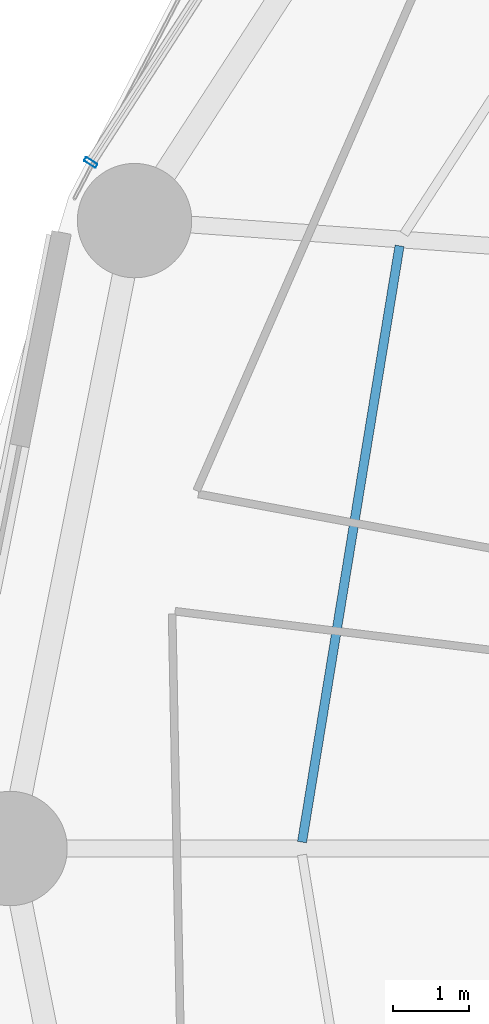
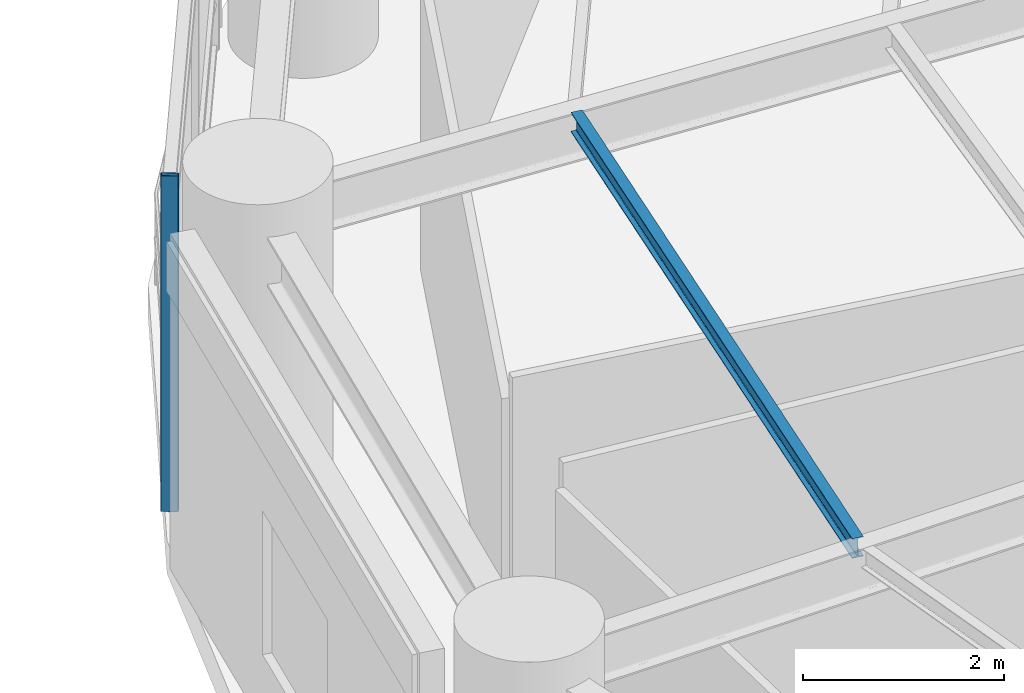
# One storey, part 15 of 52: 1 beam, 1 member, 1 element without a shape of its own.
"""IFC4 building model written with IfcOpenShell, lengths in metres."""

import ifcopenshell
import ifcopenshell.guid

model = None  # the IFC model being written
_history = None  # IfcOwnerHistory: only IFC2X3 demands one
_inside = {}  # id of a spatial element -> (the spatial element, [elements in it])
_under = {}  # id of a project, library or spatial element -> (it, [spatial elements below it])
_declared = {}  # id of a project -> (the project, [libraries it declares])
_typed = {}  # id of a type object -> (the type object, [elements of that type])
_made_of = {}  # id of a material, layer set ... -> (it, [elements and type objects made of it])


def new_model(schema):
    """Start an empty IFC model of exactly this schema.

    Asked for "IFC4X3", IfcOpenShell would pick the latest addendum, in which some entities
    have other attributes; the version numbers below select the first issue.
    IFC2X3 requires an IfcOwnerHistory on every rooted entity: one is made here for all.
    """
    global model, _history
    if schema == "IFC4X3":
        model = ifcopenshell.file(schema_version=(4, 3, 0, 0))
    else:
        model = ifcopenshell.file(schema=schema)
    _inside.clear()
    _under.clear()
    _declared.clear()
    _typed.clear()
    _made_of.clear()
    _history = None
    if model.schema == "IFC2X3":
        org = make("IfcOrganization", Name="unknown")
        user = make(
            "IfcPersonAndOrganization",
            ThePerson=make("IfcPerson", FamilyName="unknown"),
            TheOrganization=org,
        )
        app = make(
            "IfcApplication",
            ApplicationDeveloper=org,
            Version="unknown",
            ApplicationFullName="unknown",
            ApplicationIdentifier="unknown",
        )
        _history = make(
            "IfcOwnerHistory",
            OwningUser=user,
            OwningApplication=app,
            ChangeAction="ADDED",
            CreationDate=0,
        )
    return model


def make(cls, **values):
    """One entity of the class cls with the attributes given. An attribute that is None is left unset."""
    return model.create_entity(
        cls, **{name: value for name, value in values.items() if value is not None}
    )


def rooted(cls, **values):
    """An entity with a GlobalId (a new one), such as an element, a storey or a relation."""
    return make(cls, GlobalId=ifcopenshell.guid.new(), OwnerHistory=_history, **values)


def si_unit(unit_type, name, prefix=None):
    """IfcSIUnit, for example si_unit("LENGTHUNIT", "METRE", prefix="MILLI")."""
    return make("IfcSIUnit", UnitType=unit_type, Prefix=prefix, Name=name)


def assignment(units):
    """IfcUnitAssignment: the units of a project."""
    return None if units is None else make("IfcUnitAssignment", Units=units)


def point(xyz):
    """IfcCartesianPoint."""
    return None if xyz is None else make("IfcCartesianPoint", Coordinates=xyz)


def direction(xyz):
    """IfcDirection."""
    return None if xyz is None else make("IfcDirection", DirectionRatios=xyz)


def frame(location, z_axis=None, x_axis=None):
    """IfcAxis2Placement3D, a coordinate frame: its origin and axes. An axis left out is left unset."""
    return make(
        "IfcAxis2Placement3D",
        Location=point(location),
        Axis=direction(z_axis),
        RefDirection=direction(x_axis),
    )


def frame_2d(location, x_axis=None):
    """IfcAxis2Placement2D, a coordinate frame in the plane: its origin and x axis."""
    return make(
        "IfcAxis2Placement2D", Location=point(location), RefDirection=direction(x_axis)
    )


def origin():
    """The frame at (0, 0, 0) with its axes left unset."""
    return frame((0.0, 0.0, 0.0))


def origin_2d():
    """The frame at (0, 0) in the plane with its x axis left unset."""
    return frame_2d((0.0, 0.0))


def place(relative_to, where):
    """IfcLocalPlacement: puts the frame where relative to a parent placement (None: the world)."""
    return make(
        "IfcLocalPlacement", PlacementRelTo=relative_to, RelativePlacement=where
    )


def context(
    kind, dimensions, precision=None, world=None, true_north=None, identifier=None
):
    """IfcGeometricRepresentationContext, for example the 3D "Model" context."""
    return make(
        "IfcGeometricRepresentationContext",
        ContextIdentifier=identifier,
        ContextType=kind,
        CoordinateSpaceDimension=dimensions,
        Precision=precision,
        WorldCoordinateSystem=world,
        TrueNorth=true_north,
    )


def subcontext(parent, identifier, kind, view, scale=None):
    """IfcGeometricRepresentationSubContext, for example "Body" below "Model"."""
    return make(
        "IfcGeometricRepresentationSubContext",
        ContextIdentifier=identifier,
        ContextType=kind,
        ParentContext=parent,
        TargetScale=scale,
        TargetView=view,
    )


def project(units=None, contexts=None):
    """IfcProject with its units and contexts."""
    return rooted(
        "IfcProject",
        Name="project",
        RepresentationContexts=contexts,
        UnitsInContext=assignment(units),
    )


def spatial(cls, under=None, at=None, **own):
    """A site, building, storey or space (cls), placed at a placement, below another one or the project."""
    s = rooted(cls, ObjectPlacement=at, **own)
    if under is not None:
        _under.setdefault(under.id(), (under, []))[1].append(s)
    return s


def profile(cls, at=None, kind="AREA", **sizes):
    """A parametric profile (cls). Its sizes go by their IFC names, for example OverallWidth=200.0."""
    return make(cls, ProfileType=kind, Position=at, **sizes)


def hollow_rectangle(**sizes):
    """IfcRectangleHollowProfileDef."""
    return profile("IfcRectangleHollowProfileDef", **sizes)


def i_section(**sizes):
    """IfcIShapeProfileDef."""
    return profile("IfcIShapeProfileDef", **sizes)


def extrude(swept, where, along, depth):
    """IfcExtrudedAreaSolid: the profile swept, set in the frame where, extruded along a direction by depth."""
    return make(
        "IfcExtrudedAreaSolid",
        SweptArea=swept,
        Position=where,
        ExtrudedDirection=direction(along),
        Depth=depth,
    )


def shape(context_of_items, identifier, shape_type, items):
    """IfcShapeRepresentation: the items that make up one representation, for example the "Body"."""
    return make(
        "IfcShapeRepresentation",
        ContextOfItems=context_of_items,
        RepresentationIdentifier=identifier,
        RepresentationType=shape_type,
        Items=items,
    )


def material(Name=None, Category=None):
    """IfcMaterial."""
    return make("IfcMaterial", Name=Name, Category=Category)


def layer(
    of_material, thickness, ventilated=None, Name=None, Category=None, Priority=None
):
    """IfcMaterialLayer: one layer of a wall or slab, of a material (None: an air gap)."""
    return make(
        "IfcMaterialLayer",
        Material=of_material,
        LayerThickness=thickness,
        IsVentilated=ventilated,
        Name=Name,
        Category=Category,
        Priority=Priority,
    )


def layer_set(layers, Name=None):
    """IfcMaterialLayerSet."""
    return make("IfcMaterialLayerSet", MaterialLayers=layers, LayerSetName=Name)


def material_profile(
    of_material, cross_section, Name=None, Category=None, Priority=None
):
    """IfcMaterialProfile: a cross section and its material."""
    return make(
        "IfcMaterialProfile",
        Name=Name,
        Material=of_material,
        Profile=cross_section,
        Priority=Priority,
        Category=Category,
    )


def profile_set(profiles, Name=None, composite=None):
    """IfcMaterialProfileSet."""
    return make(
        "IfcMaterialProfileSet",
        Name=Name,
        MaterialProfiles=profiles,
        CompositeProfile=composite,
    )


def made_of(thing, what):
    """Note that an element or type object is made of a material, layer set ...; save() writes the relation."""
    if what is not None:
        _made_of.setdefault(what.id(), (what, []))[1].append(thing)
    return thing


def type_object(cls, material=None, **own):
    """A type object (cls), such as IfcWallType, which elements share."""
    return made_of(rooted(cls, **own), material)


def element(
    cls,
    number,
    at=None,
    inside=None,
    cuts=None,
    type_object=None,
    material=None,
    context=None,
    identifier="Body",
    shape_type=None,
    held_by="IfcProductDefinitionShape",
    body=None,
    shapes=None,
    **own,
):
    """One element of the class cls, such as IfcWall. Its Tag is "e" and its number.

    at: its placement. inside: the storey or other place that contains it. cuts: it is an
    opening in that element (IfcRelVoidsElement). A single representation is given by context,
    identifier, shape_type and body (its items); several are given by shapes. held_by: the class
    of the entity that holds the representations. save() writes the other relations.
    """
    e = rooted(cls, Tag="e%d" % number, ObjectPlacement=at, **own)
    if body is not None:
        shapes = [shape(context, identifier, shape_type, body)]
    if shapes is not None:
        e.Representation = make(held_by, Representations=shapes)
    if inside is not None:
        _inside.setdefault(inside.id(), (inside, []))[1].append(e)
    if cuts is not None:
        rooted(
            "IfcRelVoidsElement", RelatingBuildingElement=cuts, RelatedOpeningElement=e
        )
    if type_object is not None:
        _typed.setdefault(type_object.id(), (type_object, []))[1].append(e)
    return made_of(e, material)


def aggregate(whole, parts):
    """IfcRelAggregates: a whole, such as a stair, and the parts it consists of."""
    return rooted("IfcRelAggregates", RelatingObject=whole, RelatedObjects=parts)


def save(model, path):
    """Write the relations noted so far, then the file.

    IfcRelAggregates (storeys below a building ...), IfcRelContainedInSpatialStructure (elements
    in a storey), IfcRelDefinesByType, IfcRelAssociatesMaterial and IfcRelDeclares: one each for
    every whole, place, type object, material and project.
    """
    for whole, parts in _under.values():
        aggregate(whole, parts)
    for where, things in _inside.values():
        rooted(
            "IfcRelContainedInSpatialStructure",
            RelatedElements=things,
            RelatingStructure=where,
        )
    for kind, things in _typed.values():
        rooted("IfcRelDefinesByType", RelatedObjects=things, RelatingType=kind)
    for what, things in _made_of.values():
        rooted("IfcRelAssociatesMaterial", RelatedObjects=things, RelatingMaterial=what)
    for by, libraries in _declared.values():
        rooted("IfcRelDeclares", RelatingContext=by, RelatedDefinitions=libraries)
    model.write(path)


model = new_model("IFC4")

# Units and contexts
model_context = context("Model", 3, precision=1e-05, world=origin(), true_north=direction((0.0, 1.0)))
body_context = subcontext(model_context, "Body", "Model", "MODEL_VIEW")
ifc_project = project(units=[si_unit("LENGTHUNIT", "METRE"), si_unit("AREAUNIT", "SQUARE_METRE"), si_unit("VOLUMEUNIT", "CUBIC_METRE"), si_unit("PLANEANGLEUNIT", "RADIAN"), si_unit("MASSUNIT", "GRAM", prefix="KILO")], contexts=[model_context])

# Site, building, storey
site_placement = place(None, origin())
site = spatial("IfcSite", under=ifc_project, at=site_placement, CompositionType="ELEMENT")
building_placement = place(site_placement, origin())
building = spatial("IfcBuilding", under=site, at=building_placement, Name="Kelanora Arch Commons", CompositionType="ELEMENT")
storey_placement = place(building_placement, frame((0.0, 0.0, 13.5)))
storey = spatial("IfcBuildingStorey", under=building, at=storey_placement, Name="L03", CompositionType="ELEMENT", Elevation=13.5)

# Beam
ifc_material_1 = material(Name="Steel S355", Category="steel")
ifc_material_profile_1 = material_profile(ifc_material_1, i_section(OverallWidth=0.1201171875, OverallDepth=0.239990234375, WebThickness=0.006103515625, FlangeThickness=0.009765625, FilletRadius=0.014892578125, at=origin_2d()), Name="IPE240")
ifc_profile_set_1 = profile_set([ifc_material_profile_1], Name="Steel S355")
beam_type = type_object("IfcBeamType", Name="BM-JST-02", PredefinedType="JOIST", material=ifc_profile_set_1)
beam_placement = place(storey_placement, frame((52.02880859375, 65.90478515625, 3.97998046875), z_axis=(-0.161400737199, -0.986888951216, 0.0), x_axis=(0.986888951216, -0.161400737199, 0.0)))
element("IfcBeam", 1, at=beam_placement, inside=storey, type_object=beam_type, Name="Secondary Chord Joist BJC-16 L03", PredefinedType="JOIST", context=body_context, shape_type="SweptSolid", body=[
    extrude(i_section(OverallWidth=0.1201171875, OverallDepth=0.239990234375, WebThickness=0.006103515625, FlangeThickness=0.009765625, FilletRadius=0.014892578125, at=origin_2d()), origin(), (0.0, 0.0, 1.0), 7.9248046875),
])

# Curtain wall, member
ifc_material_2 = material(Name="Terracotta ceramic-fritted low-E glass and aluminium", Category="masonry")
ifc_layer = layer(ifc_material_2, 0.2099609375)
ifc_layer_set = layer_set([ifc_layer], Name="Terracotta ceramic-fritted low-E glass and aluminium")
curtain_wall_type = type_object("IfcCurtainWallType", Name="CW-SYS-04", PredefinedType="NOTDEFINED", material=ifc_layer_set)
curtain_wall_placement = place(storey_placement, origin())
curtain_wall = element("IfcCurtainWall", 2, at=curtain_wall_placement, inside=storey, type_object=curtain_wall_type, Name="Unitised Curtain Wall L03-B07", PredefinedType="NOTDEFINED")
ifc_material_3 = material(Name="Powder-coated aluminium terracotta", Category="masonry")
ifc_material_profile_2 = material_profile(ifc_material_3, hollow_rectangle(XDim=0.179931640625, YDim=0.06005859375, WallThickness=0.0048828125, InnerFilletRadius=0.0048828125, OuterFilletRadius=0.010009765625, at=origin_2d()), Name="CWM180x60")
ifc_profile_set_2 = profile_set([ifc_material_profile_2], Name="Powder-coated aluminium terracotta")
member_type = type_object("IfcMemberType", Name="CWM-HVY", PredefinedType="MULLION", material=ifc_profile_set_2)
member_placement = place(storey_placement, frame((47.97802734375, 66.998046875, 0.0), z_axis=(0.0, 0.0, 1.0), x_axis=(0.839728582399, -0.54300636083, 0.0)))
member = element("IfcMember", 3, at=member_placement, type_object=member_type, Name="CW-04 mullion 3", PredefinedType="MULLION", context=body_context, shape_type="SweptSolid", body=[
    extrude(hollow_rectangle(XDim=0.179931640625, YDim=0.06005859375, WallThickness=0.0048828125, InnerFilletRadius=0.0048828125, OuterFilletRadius=0.010009765625, at=origin_2d()), origin(), (0.0, 0.0, 1.0), 4.0849609375),
])
aggregate(curtain_wall, [member])

save(model, "model.ifc")
